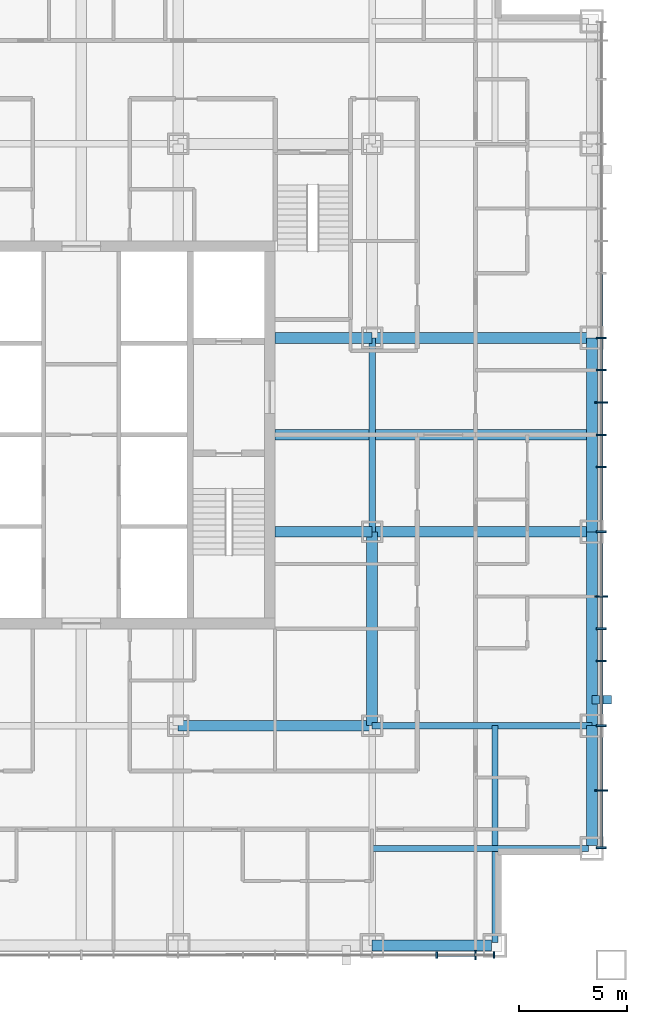
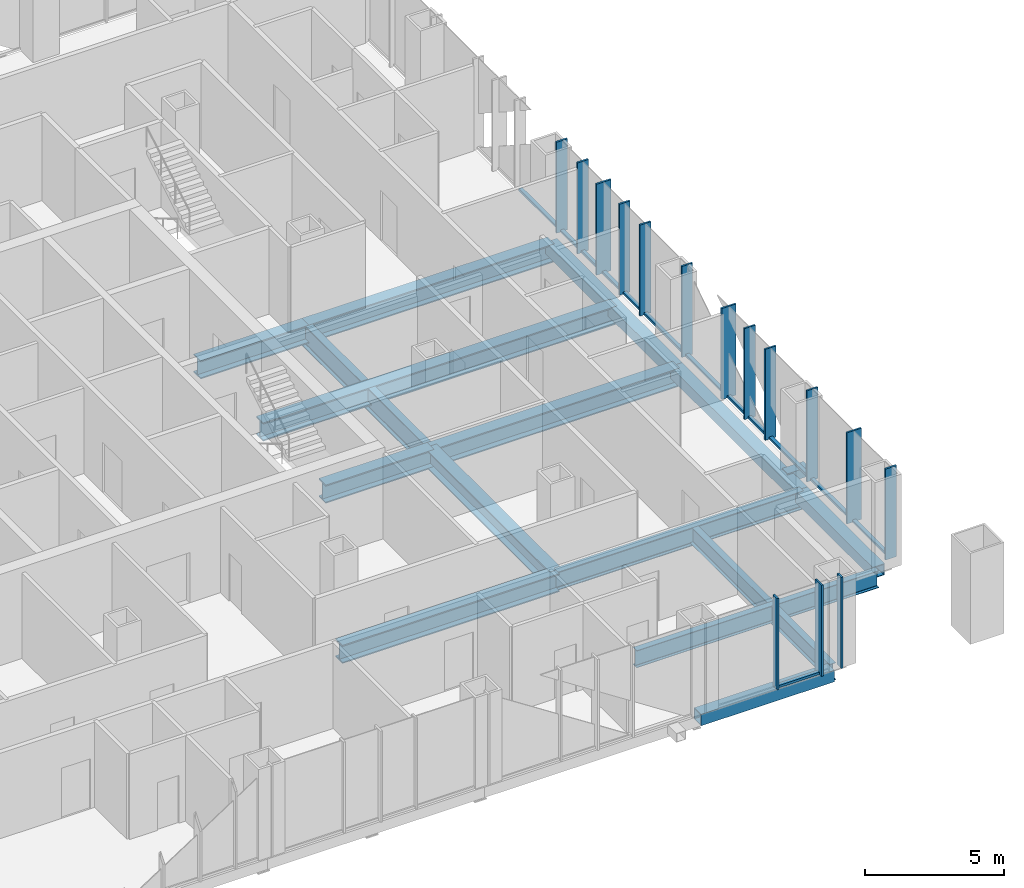
# One storey, part 4 of 14: 29 members, 15 beams, 2 elements without a shape of their own.
"""IFC4 building model written with IfcOpenShell, lengths in metres."""

import ifcopenshell
import ifcopenshell.guid

model = None  # the IFC model being written
_history = None  # IfcOwnerHistory: only IFC2X3 demands one
_inside = {}  # id of a spatial element -> (the spatial element, [elements in it])
_under = {}  # id of a project, library or spatial element -> (it, [spatial elements below it])
_declared = {}  # id of a project -> (the project, [libraries it declares])
_typed = {}  # id of a type object -> (the type object, [elements of that type])
_made_of = {}  # id of a material, layer set ... -> (it, [elements and type objects made of it])


def new_model(schema):
    """Start an empty IFC model of exactly this schema.

    Asked for "IFC4X3", IfcOpenShell would pick the latest addendum, in which some entities
    have other attributes; the version numbers below select the first issue.
    IFC2X3 requires an IfcOwnerHistory on every rooted entity: one is made here for all.
    """
    global model, _history
    if schema == "IFC4X3":
        model = ifcopenshell.file(schema_version=(4, 3, 0, 0))
    else:
        model = ifcopenshell.file(schema=schema)
    _inside.clear()
    _under.clear()
    _declared.clear()
    _typed.clear()
    _made_of.clear()
    _history = None
    if model.schema == "IFC2X3":
        org = make("IfcOrganization", Name="unknown")
        user = make(
            "IfcPersonAndOrganization",
            ThePerson=make("IfcPerson", FamilyName="unknown"),
            TheOrganization=org,
        )
        app = make(
            "IfcApplication",
            ApplicationDeveloper=org,
            Version="unknown",
            ApplicationFullName="unknown",
            ApplicationIdentifier="unknown",
        )
        _history = make(
            "IfcOwnerHistory",
            OwningUser=user,
            OwningApplication=app,
            ChangeAction="ADDED",
            CreationDate=0,
        )
    return model


def make(cls, **values):
    """One entity of the class cls with the attributes given. An attribute that is None is left unset."""
    return model.create_entity(
        cls, **{name: value for name, value in values.items() if value is not None}
    )


def rooted(cls, **values):
    """An entity with a GlobalId (a new one), such as an element, a storey or a relation."""
    return make(cls, GlobalId=ifcopenshell.guid.new(), OwnerHistory=_history, **values)


def si_unit(unit_type, name, prefix=None):
    """IfcSIUnit, for example si_unit("LENGTHUNIT", "METRE", prefix="MILLI")."""
    return make("IfcSIUnit", UnitType=unit_type, Prefix=prefix, Name=name)


def assignment(units):
    """IfcUnitAssignment: the units of a project."""
    return None if units is None else make("IfcUnitAssignment", Units=units)


def point(xyz):
    """IfcCartesianPoint."""
    return None if xyz is None else make("IfcCartesianPoint", Coordinates=xyz)


def direction(xyz):
    """IfcDirection."""
    return None if xyz is None else make("IfcDirection", DirectionRatios=xyz)


def frame(location, z_axis=None, x_axis=None):
    """IfcAxis2Placement3D, a coordinate frame: its origin and axes. An axis left out is left unset."""
    return make(
        "IfcAxis2Placement3D",
        Location=point(location),
        Axis=direction(z_axis),
        RefDirection=direction(x_axis),
    )


def frame_2d(location, x_axis=None):
    """IfcAxis2Placement2D, a coordinate frame in the plane: its origin and x axis."""
    return make(
        "IfcAxis2Placement2D", Location=point(location), RefDirection=direction(x_axis)
    )


def origin():
    """The frame at (0, 0, 0) with its axes left unset."""
    return frame((0.0, 0.0, 0.0))


def origin_2d():
    """The frame at (0, 0) in the plane with its x axis left unset."""
    return frame_2d((0.0, 0.0))


def place(relative_to, where):
    """IfcLocalPlacement: puts the frame where relative to a parent placement (None: the world)."""
    return make(
        "IfcLocalPlacement", PlacementRelTo=relative_to, RelativePlacement=where
    )


def context(
    kind, dimensions, precision=None, world=None, true_north=None, identifier=None
):
    """IfcGeometricRepresentationContext, for example the 3D "Model" context."""
    return make(
        "IfcGeometricRepresentationContext",
        ContextIdentifier=identifier,
        ContextType=kind,
        CoordinateSpaceDimension=dimensions,
        Precision=precision,
        WorldCoordinateSystem=world,
        TrueNorth=true_north,
    )


def subcontext(parent, identifier, kind, view, scale=None):
    """IfcGeometricRepresentationSubContext, for example "Body" below "Model"."""
    return make(
        "IfcGeometricRepresentationSubContext",
        ContextIdentifier=identifier,
        ContextType=kind,
        ParentContext=parent,
        TargetScale=scale,
        TargetView=view,
    )


def project(units=None, contexts=None):
    """IfcProject with its units and contexts."""
    return rooted(
        "IfcProject",
        Name="project",
        RepresentationContexts=contexts,
        UnitsInContext=assignment(units),
    )


def spatial(cls, under=None, at=None, **own):
    """A site, building, storey or space (cls), placed at a placement, below another one or the project."""
    s = rooted(cls, ObjectPlacement=at, **own)
    if under is not None:
        _under.setdefault(under.id(), (under, []))[1].append(s)
    return s


def profile(cls, at=None, kind="AREA", **sizes):
    """A parametric profile (cls). Its sizes go by their IFC names, for example OverallWidth=200.0."""
    return make(cls, ProfileType=kind, Position=at, **sizes)


def rectangle(**sizes):
    """IfcRectangleProfileDef."""
    return profile("IfcRectangleProfileDef", **sizes)


def hollow_rectangle(**sizes):
    """IfcRectangleHollowProfileDef."""
    return profile("IfcRectangleHollowProfileDef", **sizes)


def i_section(**sizes):
    """IfcIShapeProfileDef."""
    return profile("IfcIShapeProfileDef", **sizes)


def extrude(swept, where, along, depth):
    """IfcExtrudedAreaSolid: the profile swept, set in the frame where, extruded along a direction by depth."""
    return make(
        "IfcExtrudedAreaSolid",
        SweptArea=swept,
        Position=where,
        ExtrudedDirection=direction(along),
        Depth=depth,
    )


def shape(context_of_items, identifier, shape_type, items):
    """IfcShapeRepresentation: the items that make up one representation, for example the "Body"."""
    return make(
        "IfcShapeRepresentation",
        ContextOfItems=context_of_items,
        RepresentationIdentifier=identifier,
        RepresentationType=shape_type,
        Items=items,
    )


def material(Name=None, Category=None):
    """IfcMaterial."""
    return make("IfcMaterial", Name=Name, Category=Category)


def layer(
    of_material, thickness, ventilated=None, Name=None, Category=None, Priority=None
):
    """IfcMaterialLayer: one layer of a wall or slab, of a material (None: an air gap)."""
    return make(
        "IfcMaterialLayer",
        Material=of_material,
        LayerThickness=thickness,
        IsVentilated=ventilated,
        Name=Name,
        Category=Category,
        Priority=Priority,
    )


def layer_set(layers, Name=None):
    """IfcMaterialLayerSet."""
    return make("IfcMaterialLayerSet", MaterialLayers=layers, LayerSetName=Name)


def material_profile(
    of_material, cross_section, Name=None, Category=None, Priority=None
):
    """IfcMaterialProfile: a cross section and its material."""
    return make(
        "IfcMaterialProfile",
        Name=Name,
        Material=of_material,
        Profile=cross_section,
        Priority=Priority,
        Category=Category,
    )


def profile_set(profiles, Name=None, composite=None):
    """IfcMaterialProfileSet."""
    return make(
        "IfcMaterialProfileSet",
        Name=Name,
        MaterialProfiles=profiles,
        CompositeProfile=composite,
    )


def made_of(thing, what):
    """Note that an element or type object is made of a material, layer set ...; save() writes the relation."""
    if what is not None:
        _made_of.setdefault(what.id(), (what, []))[1].append(thing)
    return thing


def type_object(cls, material=None, **own):
    """A type object (cls), such as IfcWallType, which elements share."""
    return made_of(rooted(cls, **own), material)


def element(
    cls,
    number,
    at=None,
    inside=None,
    cuts=None,
    type_object=None,
    material=None,
    context=None,
    identifier="Body",
    shape_type=None,
    held_by="IfcProductDefinitionShape",
    body=None,
    shapes=None,
    **own,
):
    """One element of the class cls, such as IfcWall. Its Tag is "e" and its number.

    at: its placement. inside: the storey or other place that contains it. cuts: it is an
    opening in that element (IfcRelVoidsElement). A single representation is given by context,
    identifier, shape_type and body (its items); several are given by shapes. held_by: the class
    of the entity that holds the representations. save() writes the other relations.
    """
    e = rooted(cls, Tag="e%d" % number, ObjectPlacement=at, **own)
    if body is not None:
        shapes = [shape(context, identifier, shape_type, body)]
    if shapes is not None:
        e.Representation = make(held_by, Representations=shapes)
    if inside is not None:
        _inside.setdefault(inside.id(), (inside, []))[1].append(e)
    if cuts is not None:
        rooted(
            "IfcRelVoidsElement", RelatingBuildingElement=cuts, RelatedOpeningElement=e
        )
    if type_object is not None:
        _typed.setdefault(type_object.id(), (type_object, []))[1].append(e)
    return made_of(e, material)


def aggregate(whole, parts):
    """IfcRelAggregates: a whole, such as a stair, and the parts it consists of."""
    return rooted("IfcRelAggregates", RelatingObject=whole, RelatedObjects=parts)


def save(model, path):
    """Write the relations noted so far, then the file.

    IfcRelAggregates (storeys below a building ...), IfcRelContainedInSpatialStructure (elements
    in a storey), IfcRelDefinesByType, IfcRelAssociatesMaterial and IfcRelDeclares: one each for
    every whole, place, type object, material and project.
    """
    for whole, parts in _under.values():
        aggregate(whole, parts)
    for where, things in _inside.values():
        rooted(
            "IfcRelContainedInSpatialStructure",
            RelatedElements=things,
            RelatingStructure=where,
        )
    for kind, things in _typed.values():
        rooted("IfcRelDefinesByType", RelatedObjects=things, RelatingType=kind)
    for what, things in _made_of.values():
        rooted("IfcRelAssociatesMaterial", RelatedObjects=things, RelatingMaterial=what)
    for by, libraries in _declared.values():
        rooted("IfcRelDeclares", RelatingContext=by, RelatedDefinitions=libraries)
    model.write(path)


model = new_model("IFC4")

# Units and contexts
model_context = context("Model", 3, precision=1e-05, world=origin(), true_north=direction((0.0, 1.0)))
body_context = subcontext(model_context, "Body", "Model", "MODEL_VIEW")
ifc_project = project(units=[si_unit("LENGTHUNIT", "METRE"), si_unit("AREAUNIT", "SQUARE_METRE"), si_unit("VOLUMEUNIT", "CUBIC_METRE"), si_unit("PLANEANGLEUNIT", "RADIAN"), si_unit("MASSUNIT", "GRAM", prefix="KILO")], contexts=[model_context])

# Site, building, storey
site_placement = place(None, origin())
site = spatial("IfcSite", under=ifc_project, at=site_placement, CompositionType="ELEMENT")
building_placement = place(site_placement, origin())
building = spatial("IfcBuilding", under=site, at=building_placement, Name="Malebo Sky Hospital", CompositionType="ELEMENT")
storey_placement = place(building_placement, frame((0.0, 0.0, 148.0)))
storey = spatial("IfcBuildingStorey", under=building, at=storey_placement, Name="L35", CompositionType="ELEMENT", Elevation=148.0)

# Curtain wall, member
ifc_material_1 = material(Name="Anodised aluminium, natural silver", Category="aluminium")
ifc_layer_1 = layer(ifc_material_1, 0.25)
ifc_layer_set_1 = layer_set([ifc_layer_1], Name="WARD CURTAIN WALL NORTH AND SOUTH")
curtain_wall_type_1 = type_object("IfcCurtainWallType", Name="WARD CURTAIN WALL NORTH AND SOUTH", PredefinedType="NOTDEFINED", material=ifc_layer_set_1)
curtain_wall_1_placement = place(storey_placement, origin())
curtain_wall_1 = element("IfcCurtainWall", 1, at=curtain_wall_1_placement, inside=storey, type_object=curtain_wall_type_1, Name="NS curtain wall S", PredefinedType="NOTDEFINED")
ifc_material_profile_1 = material_profile(ifc_material_1, rectangle(XDim=0.14990234375, YDim=0.10009765625, at=origin_2d()), Name="ALUMINIUM TRANSOM 150x100")
ifc_profile_set_1 = profile_set([ifc_material_profile_1], Name="Anodised aluminium, natural silver")
member_type_1 = type_object("IfcMemberType", Name="ALUMINIUM TRANSOM 150x100", PredefinedType="USERDEFINED", material=ifc_profile_set_1)
member_1_placement = place(storey_placement, frame((78.262451171875, 37.864990234375, 0.050048828125), z_axis=(-1.0, 0.0, 0.0), x_axis=(0.0, -1.0, 0.0)))
member_1 = element("IfcMember", 2, at=member_1_placement, type_object=member_type_1, Name="Transom 2", ObjectType="TRANSOM", PredefinedType="USERDEFINED", context=body_context, shape_type="SweptSolid", body=[
    extrude(rectangle(XDim=0.14990234375, YDim=0.10009765625, at=origin_2d()), origin(), (0.0, 0.0, 1.0), 1.724853515625),
])

# Curtain wall, members
ifc_layer_2 = layer(ifc_material_1, 0.25)
ifc_layer_set_2 = layer_set([ifc_layer_2], Name="WARD CURTAIN WALL EAST AND WEST")
curtain_wall_type_2 = type_object("IfcCurtainWallType", Name="WARD CURTAIN WALL EAST AND WEST", PredefinedType="NOTDEFINED", material=ifc_layer_set_2)
curtain_wall_2_placement = place(storey_placement, origin())
curtain_wall_2 = element("IfcCurtainWall", 3, at=curtain_wall_2_placement, inside=storey, type_object=curtain_wall_type_2, Name="EW curtain wall E", PredefinedType="NOTDEFINED")
member_2_placement = place(storey_placement, frame((84.135009765625, 69.46240234375, 0.050048828125), z_axis=(0.0, -1.0, 0.0), x_axis=(1.0, 0.0, 0.0)))
member_2 = element("IfcMember", 4, at=member_2_placement, type_object=member_type_1, Name="Transom 7", ObjectType="TRANSOM", PredefinedType="USERDEFINED", context=body_context, shape_type="SweptSolid", body=[
    extrude(rectangle(XDim=0.14990234375, YDim=0.10009765625, at=origin_2d()), origin(), (0.0, 0.0, 1.0), 2.9248046875),
])
member_3_placement = place(storey_placement, frame((84.135009765625, 66.46240234375, 0.050048828125), z_axis=(0.0, -1.0, 0.0), x_axis=(1.0, 0.0, 0.0)))
member_3 = element("IfcMember", 5, at=member_3_placement, type_object=member_type_1, Name="Transom 8", ObjectType="TRANSOM", PredefinedType="USERDEFINED", context=body_context, shape_type="SweptSolid", body=[
    extrude(rectangle(XDim=0.14990234375, YDim=0.10009765625, at=origin_2d()), origin(), (0.0, 0.0, 1.0), 1.4248046875),
])
member_4_placement = place(storey_placement, frame((84.135009765625, 64.96240234375, 0.050048828125), z_axis=(0.0, -1.0, 0.0), x_axis=(1.0, 0.0, 0.0)))
member_4 = element("IfcMember", 6, at=member_4_placement, type_object=member_type_1, Name="Transom 9", ObjectType="TRANSOM", PredefinedType="USERDEFINED", context=body_context, shape_type="SweptSolid", body=[
    extrude(rectangle(XDim=0.14990234375, YDim=0.10009765625, at=origin_2d()), origin(), (0.0, 0.0, 1.0), 1.4248046875),
])
member_5_placement = place(storey_placement, frame((84.135009765625, 63.46240234375, 0.050048828125), z_axis=(0.0, -1.0, 0.0), x_axis=(1.0, 0.0, 0.0)))
member_5 = element("IfcMember", 7, at=member_5_placement, type_object=member_type_1, Name="Transom 10", ObjectType="TRANSOM", PredefinedType="USERDEFINED", context=body_context, shape_type="SweptSolid", body=[
    extrude(rectangle(XDim=0.14990234375, YDim=0.10009765625, at=origin_2d()), origin(), (0.0, 0.0, 1.0), 1.4248046875),
])
member_6_placement = place(storey_placement, frame((84.135009765625, 61.96240234375, 0.050048828125), z_axis=(0.0, -1.0, 0.0), x_axis=(1.0, 0.0, 0.0)))
member_6 = element("IfcMember", 8, at=member_6_placement, type_object=member_type_1, Name="Transom 11", ObjectType="TRANSOM", PredefinedType="USERDEFINED", context=body_context, shape_type="SweptSolid", body=[
    extrude(rectangle(XDim=0.14990234375, YDim=0.10009765625, at=origin_2d()), origin(), (0.0, 0.0, 1.0), 1.4248046875),
])
member_7_placement = place(storey_placement, frame((84.135009765625, 60.46240234375, 0.050048828125), z_axis=(0.0, -1.0, 0.0), x_axis=(1.0, 0.0, 0.0)))
member_7 = element("IfcMember", 9, at=member_7_placement, type_object=member_type_1, Name="Transom 12", ObjectType="TRANSOM", PredefinedType="USERDEFINED", context=body_context, shape_type="SweptSolid", body=[
    extrude(rectangle(XDim=0.14990234375, YDim=0.10009765625, at=origin_2d()), origin(), (0.0, 0.0, 1.0), 2.9248046875),
])
member_8_placement = place(storey_placement, frame((84.135009765625, 57.46240234375, 0.050048828125), z_axis=(0.0, -1.0, 0.0), x_axis=(1.0, 0.0, 0.0)))
member_8 = element("IfcMember", 10, at=member_8_placement, type_object=member_type_1, Name="Transom 13", ObjectType="TRANSOM", PredefinedType="USERDEFINED", context=body_context, shape_type="SweptSolid", body=[
    extrude(rectangle(XDim=0.14990234375, YDim=0.10009765625, at=origin_2d()), origin(), (0.0, 0.0, 1.0), 2.9248046875),
])
member_9_placement = place(storey_placement, frame((84.135009765625, 54.46240234375, 0.050048828125), z_axis=(0.0, -1.0, 0.0), x_axis=(1.0, 0.0, 0.0)))
member_9 = element("IfcMember", 11, at=member_9_placement, type_object=member_type_1, Name="Transom 14", ObjectType="TRANSOM", PredefinedType="USERDEFINED", context=body_context, shape_type="SweptSolid", body=[
    extrude(rectangle(XDim=0.14990234375, YDim=0.10009765625, at=origin_2d()), origin(), (0.0, 0.0, 1.0), 1.4248046875),
])
member_10_placement = place(storey_placement, frame((84.135009765625, 52.96240234375, 0.050048828125), z_axis=(0.0, -1.0, 0.0), x_axis=(1.0, 0.0, 0.0)))
member_10 = element("IfcMember", 12, at=member_10_placement, type_object=member_type_1, Name="Transom 15", ObjectType="TRANSOM", PredefinedType="USERDEFINED", context=body_context, shape_type="SweptSolid", body=[
    extrude(rectangle(XDim=0.14990234375, YDim=0.10009765625, at=origin_2d()), origin(), (0.0, 0.0, 1.0), 1.4248046875),
])
member_11_placement = place(storey_placement, frame((84.135009765625, 51.46240234375, 0.050048828125), z_axis=(0.0, -1.0, 0.0), x_axis=(1.0, 0.0, 0.0)))
member_11 = element("IfcMember", 13, at=member_11_placement, type_object=member_type_1, Name="Transom 16", ObjectType="TRANSOM", PredefinedType="USERDEFINED", context=body_context, shape_type="SweptSolid", body=[
    extrude(rectangle(XDim=0.14990234375, YDim=0.10009765625, at=origin_2d()), origin(), (0.0, 0.0, 1.0), 2.9248046875),
])
member_12_placement = place(storey_placement, frame((84.135009765625, 48.46240234375, 0.050048828125), z_axis=(0.0, -1.0, 0.0), x_axis=(1.0, 0.0, 0.0)))
member_12 = element("IfcMember", 14, at=member_12_placement, type_object=member_type_1, Name="Transom 17", ObjectType="TRANSOM", PredefinedType="USERDEFINED", context=body_context, shape_type="SweptSolid", body=[
    extrude(rectangle(XDim=0.14990234375, YDim=0.10009765625, at=origin_2d()), origin(), (0.0, 0.0, 1.0), 2.9248046875),
])
member_13_placement = place(storey_placement, frame((84.135009765625, 45.46240234375, 0.050048828125), z_axis=(0.0, -1.0, 0.0), x_axis=(1.0, 0.0, 0.0)))
member_13 = element("IfcMember", 15, at=member_13_placement, type_object=member_type_1, Name="Transom 18", ObjectType="TRANSOM", PredefinedType="USERDEFINED", context=body_context, shape_type="SweptSolid", body=[
    extrude(rectangle(XDim=0.14990234375, YDim=0.10009765625, at=origin_2d()), origin(), (0.0, 0.0, 1.0), 2.58740234375),
])

# Member
ifc_material_2 = material(Name="Steel S355", Category="steel")
ifc_material_profile_2 = material_profile(ifc_material_2, hollow_rectangle(XDim=0.39990234375, YDim=0.39990234375, WallThickness=0.02001953125, at=origin_2d()), Name="SHS 400x20")
ifc_profile_set_2 = profile_set([ifc_material_profile_2], Name="Steel S355")
member_type_2 = type_object("IfcMemberType", Name="BRACE STRUT SHS 400x20", PredefinedType="STRUT", material=ifc_profile_set_2)
member_14_placement = place(storey_placement, frame((84.60009765625, 49.699951171875, -0.39990234375), z_axis=(-1.0, 0.0, 0.0), x_axis=(0.0, -1.0, 0.0)))
element("IfcMember", 16, at=member_14_placement, inside=storey, type_object=member_type_2, Name="Brace strut BE1 L35", PredefinedType="STRUT", context=body_context, shape_type="SweptSolid", body=[
    extrude(hollow_rectangle(XDim=0.39990234375, YDim=0.39990234375, WallThickness=0.02001953125, at=origin_2d()), origin(), (0.0, 0.0, 1.0), 0.900146484375),
])

ifc_material_profile_3 = material_profile(ifc_material_1, rectangle(XDim=0.074951171875, YDim=0.300048828125, at=origin_2d()), Name="CW1 ALUMINIUM FIN MULLION 75x300")
ifc_profile_set_3 = profile_set([ifc_material_profile_3], Name="Anodised aluminium, natural silver")
member_type_3 = type_object("IfcMemberType", Name="CW1 ALUMINIUM FIN MULLION 75x300", PredefinedType="MULLION", material=ifc_profile_set_3)
member_15_placement = place(storey_placement, frame((79.16259765625, 37.864990234375, 0.0), z_axis=(0.0, 0.0, 1.0), x_axis=(-1.0, 0.0, 0.0)))
member_15 = element("IfcMember", 17, at=member_15_placement, type_object=member_type_3, Name="Fin mullion 1", PredefinedType="MULLION", context=body_context, shape_type="SweptSolid", body=[
    extrude(rectangle(XDim=0.074951171875, YDim=0.300048828125, at=origin_2d()), origin(), (0.0, 0.0, 1.0), 4.0),
])

member_16_placement = place(storey_placement, frame((76.5, 37.864990234375, 0.0), z_axis=(0.0, 0.0, 1.0), x_axis=(-1.0, 0.0, 0.0)))
member_16 = element("IfcMember", 18, at=member_16_placement, type_object=member_type_3, Name="Fin mullion 3", PredefinedType="MULLION", context=body_context, shape_type="SweptSolid", body=[
    extrude(rectangle(XDim=0.074951171875, YDim=0.300048828125, at=origin_2d()), origin(), (0.0, 0.0, 1.0), 4.0),
])

ifc_material_profile_4 = material_profile(ifc_material_1, rectangle(XDim=0.074951171875, YDim=0.449951171875, at=origin_2d()), Name="CW1 ALUMINIUM FIN MULLION 75x450")
ifc_profile_set_4 = profile_set([ifc_material_profile_4], Name="Anodised aluminium, natural silver")
member_type_4 = type_object("IfcMemberType", Name="CW1 ALUMINIUM FIN MULLION 75x450", PredefinedType="MULLION", material=ifc_profile_set_4)
member_17_placement = place(storey_placement, frame((78.300048828125, 37.864990234375, 0.0), z_axis=(0.0, 0.0, 1.0), x_axis=(-1.0, 0.0, 0.0)))
member_17 = element("IfcMember", 19, at=member_17_placement, type_object=member_type_4, Name="Fin mullion 2", PredefinedType="MULLION", context=body_context, shape_type="SweptSolid", body=[
    extrude(rectangle(XDim=0.074951171875, YDim=0.449951171875, at=origin_2d()), origin(), (0.0, 0.0, 1.0), 4.0),
])

aggregate(curtain_wall_1, [member_15, member_17, member_16, member_1])

ifc_material_profile_5 = material_profile(ifc_material_1, rectangle(XDim=0.074951171875, YDim=0.449951171875, at=origin_2d()), Name="CW2 ALUMINIUM FIN MULLION 75x450")
ifc_profile_set_5 = profile_set([ifc_material_profile_5], Name="Anodised aluminium, natural silver")
member_type_5 = type_object("IfcMemberType", Name="CW2 ALUMINIUM FIN MULLION 75x450", PredefinedType="MULLION", material=ifc_profile_set_5)
member_18_placement = place(storey_placement, frame((84.135009765625, 66.5, 0.0), z_axis=(0.0, 0.0, 1.0), x_axis=(0.0, -1.0, 0.0)))
member_18 = element("IfcMember", 20, at=member_18_placement, type_object=member_type_5, Name="Fin mullion 8", PredefinedType="MULLION", context=body_context, shape_type="SweptSolid", body=[
    extrude(rectangle(XDim=0.074951171875, YDim=0.449951171875, at=origin_2d()), origin(), (0.0, 0.0, 1.0), 4.0),
])

member_19_placement = place(storey_placement, frame((84.135009765625, 65.0, 0.0), z_axis=(0.0, 0.0, 1.0), x_axis=(0.0, -1.0, 0.0)))
member_19 = element("IfcMember", 21, at=member_19_placement, type_object=member_type_5, Name="Fin mullion 9", PredefinedType="MULLION", context=body_context, shape_type="SweptSolid", body=[
    extrude(rectangle(XDim=0.074951171875, YDim=0.449951171875, at=origin_2d()), origin(), (0.0, 0.0, 1.0), 4.0),
])

member_20_placement = place(storey_placement, frame((84.135009765625, 62.0, 0.0), z_axis=(0.0, 0.0, 1.0), x_axis=(0.0, -1.0, 0.0)))
member_20 = element("IfcMember", 22, at=member_20_placement, type_object=member_type_5, Name="Fin mullion 11", PredefinedType="MULLION", context=body_context, shape_type="SweptSolid", body=[
    extrude(rectangle(XDim=0.074951171875, YDim=0.449951171875, at=origin_2d()), origin(), (0.0, 0.0, 1.0), 4.0),
])

member_21_placement = place(storey_placement, frame((84.135009765625, 60.5, 0.0), z_axis=(0.0, 0.0, 1.0), x_axis=(0.0, -1.0, 0.0)))
member_21 = element("IfcMember", 23, at=member_21_placement, type_object=member_type_5, Name="Fin mullion 12", PredefinedType="MULLION", context=body_context, shape_type="SweptSolid", body=[
    extrude(rectangle(XDim=0.074951171875, YDim=0.449951171875, at=origin_2d()), origin(), (0.0, 0.0, 1.0), 4.0),
])

member_22_placement = place(storey_placement, frame((84.135009765625, 57.5, 0.0), z_axis=(0.0, 0.0, 1.0), x_axis=(0.0, -1.0, 0.0)))
member_22 = element("IfcMember", 24, at=member_22_placement, type_object=member_type_5, Name="Fin mullion 13", PredefinedType="MULLION", context=body_context, shape_type="SweptSolid", body=[
    extrude(rectangle(XDim=0.074951171875, YDim=0.449951171875, at=origin_2d()), origin(), (0.0, 0.0, 1.0), 4.0),
])

member_23_placement = place(storey_placement, frame((84.135009765625, 53.0, 0.0), z_axis=(0.0, 0.0, 1.0), x_axis=(0.0, -1.0, 0.0)))
member_23 = element("IfcMember", 25, at=member_23_placement, type_object=member_type_5, Name="Fin mullion 15", PredefinedType="MULLION", context=body_context, shape_type="SweptSolid", body=[
    extrude(rectangle(XDim=0.074951171875, YDim=0.449951171875, at=origin_2d()), origin(), (0.0, 0.0, 1.0), 4.0),
])

member_24_placement = place(storey_placement, frame((84.135009765625, 51.5, 0.0), z_axis=(0.0, 0.0, 1.0), x_axis=(0.0, -1.0, 0.0)))
member_24 = element("IfcMember", 26, at=member_24_placement, type_object=member_type_5, Name="Fin mullion 16", PredefinedType="MULLION", context=body_context, shape_type="SweptSolid", body=[
    extrude(rectangle(XDim=0.074951171875, YDim=0.449951171875, at=origin_2d()), origin(), (0.0, 0.0, 1.0), 4.0),
])

member_25_placement = place(storey_placement, frame((84.135009765625, 48.5, 0.0), z_axis=(0.0, 0.0, 1.0), x_axis=(0.0, -1.0, 0.0)))
member_25 = element("IfcMember", 27, at=member_25_placement, type_object=member_type_5, Name="Fin mullion 17", PredefinedType="MULLION", context=body_context, shape_type="SweptSolid", body=[
    extrude(rectangle(XDim=0.074951171875, YDim=0.449951171875, at=origin_2d()), origin(), (0.0, 0.0, 1.0), 4.0),
])

member_26_placement = place(storey_placement, frame((84.135009765625, 42.83740234375, 0.0), z_axis=(0.0, 0.0, 1.0), x_axis=(0.0, -1.0, 0.0)))
member_26 = element("IfcMember", 28, at=member_26_placement, type_object=member_type_5, Name="Fin mullion 19", PredefinedType="MULLION", context=body_context, shape_type="SweptSolid", body=[
    extrude(rectangle(XDim=0.074951171875, YDim=0.449951171875, at=origin_2d()), origin(), (0.0, 0.0, 1.0), 4.0),
])

ifc_material_profile_6 = material_profile(ifc_material_1, rectangle(XDim=0.074951171875, YDim=0.60009765625, at=origin_2d()), Name="CW2 ALUMINIUM FIN MULLION 75x600")
ifc_profile_set_6 = profile_set([ifc_material_profile_6], Name="Anodised aluminium, natural silver")
member_type_6 = type_object("IfcMemberType", Name="CW2 ALUMINIUM FIN MULLION 75x600", PredefinedType="MULLION", material=ifc_profile_set_6)
member_27_placement = place(storey_placement, frame((84.135009765625, 63.5, 0.0), z_axis=(0.0, 0.0, 1.0), x_axis=(0.0, -1.0, 0.0)))
member_27 = element("IfcMember", 29, at=member_27_placement, type_object=member_type_6, Name="Fin mullion 10", PredefinedType="MULLION", context=body_context, shape_type="SweptSolid", body=[
    extrude(rectangle(XDim=0.074951171875, YDim=0.60009765625, at=origin_2d()), origin(), (0.0, 0.0, 1.0), 4.0),
])

member_28_placement = place(storey_placement, frame((84.135009765625, 54.5, 0.0), z_axis=(0.0, 0.0, 1.0), x_axis=(0.0, -1.0, 0.0)))
member_28 = element("IfcMember", 30, at=member_28_placement, type_object=member_type_6, Name="Fin mullion 14", PredefinedType="MULLION", context=body_context, shape_type="SweptSolid", body=[
    extrude(rectangle(XDim=0.074951171875, YDim=0.60009765625, at=origin_2d()), origin(), (0.0, 0.0, 1.0), 4.0),
])

member_29_placement = place(storey_placement, frame((84.135009765625, 45.5, 0.0), z_axis=(0.0, 0.0, 1.0), x_axis=(0.0, -1.0, 0.0)))
member_29 = element("IfcMember", 31, at=member_29_placement, type_object=member_type_6, Name="Fin mullion 18", PredefinedType="MULLION", context=body_context, shape_type="SweptSolid", body=[
    extrude(rectangle(XDim=0.074951171875, YDim=0.60009765625, at=origin_2d()), origin(), (0.0, 0.0, 1.0), 4.0),
])

aggregate(curtain_wall_2, [member_18, member_19, member_27, member_20, member_21, member_22, member_28, member_23, member_24, member_25, member_29, member_26, member_2, member_3, member_4, member_5, member_6, member_7, member_8, member_9, member_10, member_11, member_12, member_13])

# Beams
ifc_material_3 = material(Name="Steel S460", Category="steel")
ifc_material_profile_7 = material_profile(ifc_material_3, hollow_rectangle(XDim=0.5, YDim=0.5, WallThickness=0.030029296875, at=origin_2d()), Name="BOX 500x500x30")
ifc_profile_set_7 = profile_set([ifc_material_profile_7], Name="Steel S460")
beam_type_1 = type_object("IfcBeamType", Name="EDGE BEAM BOX 500x500x30", PredefinedType="BEAM", material=ifc_profile_set_7)
beam_1_placement = place(storey_placement, frame((83.699951171875, 42.949951171875, -0.5), z_axis=(0.0, 1.0, 0.0), x_axis=(-1.0, 0.0, 0.0)))
element("IfcBeam", 32, at=beam_1_placement, inside=storey, type_object=beam_type_1, Name="Beam 029 L35", PredefinedType="BEAM", context=body_context, shape_type="SweptSolid", body=[
    extrude(hollow_rectangle(XDim=0.5, YDim=0.5, WallThickness=0.030029296875, at=origin_2d()), origin(), (0.0, 0.0, 1.0), 5.550048828125),
])
for number, where, z_axis, x_axis, name in (
    (33, (83.699951171875, 48.5, -0.5), (0.0, 1.0, 0.0), (-1.0, 0.0, 0.0), "Beam 030 L35"),
    (34, (83.699951171875, 57.5, -0.5), (0.0, 1.0, 0.0), (-1.0, 0.0, 0.0), "Beam 031 L35"),
):
    element("IfcBeam", number, at=place(storey_placement, frame(where, z_axis=z_axis, x_axis=x_axis)), inside=storey, type_object=beam_type_1, Name=name, PredefinedType="BEAM", context=body_context, shape_type="SweptSolid", body=[
        extrude(hollow_rectangle(XDim=0.5, YDim=0.5, WallThickness=0.030029296875, at=origin_2d()), origin(), (0.0, 0.0, 1.0), 9.0),
    ])
beam_2_placement = place(storey_placement, frame((73.5, 38.300048828125, -0.5), z_axis=(1.0, 0.0, 0.0), x_axis=(0.0, 1.0, 0.0)))
element("IfcBeam", 35, at=beam_2_placement, inside=storey, type_object=beam_type_1, Name="Beam 038 L35", PredefinedType="BEAM", context=body_context, shape_type="SweptSolid", body=[
    extrude(hollow_rectangle(XDim=0.5, YDim=0.5, WallThickness=0.030029296875, at=origin_2d()), origin(), (0.0, 0.0, 1.0), 5.550048828125),
])
ifc_material_profile_8 = material_profile(ifc_material_2, i_section(OverallWidth=0.262939453125, OverallDepth=0.7529296875, WebThickness=0.011474609375, FlangeThickness=0.01708984375, FilletRadius=0.01708984375, at=origin_2d()), Name="IPE 750x137")
ifc_profile_set_8 = profile_set([ifc_material_profile_8], Name="Steel S355")
beam_type_2 = type_object("IfcBeamType", Name="FLOOR BEAM IPE 750x137", PredefinedType="BEAM", material=ifc_profile_set_8)
for number, where, z_axis, x_axis, name in (
    (36, (79.199951171875, 38.449951171875, -0.62646484375), (0.0, 1.0, 0.0), (-1.0, 0.0, 0.0), "Beam 027 L35"),
    (37, (73.5, 42.800048828125, -0.62646484375), (1.0, 0.0, 0.0), (0.0, 1.0, 0.0), "Beam 040 L35"),
):
    element("IfcBeam", number, at=place(storey_placement, frame(where, z_axis=z_axis, x_axis=x_axis)), inside=storey, type_object=beam_type_2, Name=name, PredefinedType="BEAM", context=body_context, shape_type="SweptSolid", body=[
        extrude(i_section(OverallWidth=0.262939453125, OverallDepth=0.7529296875, WebThickness=0.011474609375, FlangeThickness=0.01708984375, FilletRadius=0.01708984375, at=origin_2d()), origin(), (0.0, 0.0, 1.0), 10.050048828125),
    ])
ifc_material_profile_9 = material_profile(ifc_material_2, i_section(OverallWidth=0.5, OverallDepth=0.800048828125, WebThickness=0.030029296875, FlangeThickness=0.050048828125, at=origin_2d()), Name="PG 800x500x30x50")
ifc_profile_set_9 = profile_set([ifc_material_profile_9], Name="Steel S355")
beam_type_3 = type_object("IfcBeamType", Name="FLOOR BEAM PG 800x500x30x50", PredefinedType="BEAM", material=ifc_profile_set_9)
for number, where, z_axis, x_axis, name in (
    (38, (73.5, 48.5, -0.64990234375), (0.0, 1.0, 0.0), (-1.0, 0.0, 0.0), "Beam 023 L35"),
    (39, (64.5, 48.5, -0.64990234375), (1.0, 0.0, 0.0), (0.0, 1.0, 0.0), "Beam 044 L35"),
):
    element("IfcBeam", number, at=place(storey_placement, frame(where, z_axis=z_axis, x_axis=x_axis)), inside=storey, type_object=beam_type_3, Name=name, PredefinedType="BEAM", context=body_context, shape_type="SweptSolid", body=[
        extrude(i_section(OverallWidth=0.5, OverallDepth=0.800048828125, WebThickness=0.030029296875, FlangeThickness=0.050048828125, at=origin_2d()), origin(), (0.0, 0.0, 1.0), 9.0),
    ])
beam_3_placement = place(storey_placement, frame((69.0, 57.5, -0.64990234375), z_axis=(1.0, 0.0, 0.0), x_axis=(0.0, 1.0, 0.0)))
element("IfcBeam", 40, at=beam_3_placement, inside=storey, type_object=beam_type_3, Name="Beam 048 L35", PredefinedType="BEAM", context=body_context, shape_type="SweptSolid", body=[
    extrude(i_section(OverallWidth=0.5, OverallDepth=0.800048828125, WebThickness=0.030029296875, FlangeThickness=0.050048828125, at=origin_2d()), origin(), (0.0, 0.0, 1.0), 4.5),
])
beam_4_placement = place(storey_placement, frame((73.5, 57.5, -0.64990234375), z_axis=(1.0, 0.0, 0.0), x_axis=(0.0, 1.0, 0.0)))
element("IfcBeam", 41, at=beam_4_placement, inside=storey, type_object=beam_type_3, Name="Beam 049 L35", PredefinedType="BEAM", context=body_context, shape_type="SweptSolid", body=[
    extrude(i_section(OverallWidth=0.5, OverallDepth=0.800048828125, WebThickness=0.030029296875, FlangeThickness=0.050048828125, at=origin_2d()), origin(), (0.0, 0.0, 1.0), 10.199951171875),
])
beam_5_placement = place(storey_placement, frame((69.0, 62.0, -0.64990234375), z_axis=(1.0, 0.0, 0.0), x_axis=(0.0, 1.0, 0.0)))
element("IfcBeam", 42, at=beam_5_placement, inside=storey, type_object=beam_type_3, Name="Beam 051 L35", PredefinedType="BEAM", context=body_context, shape_type="SweptSolid", body=[
    extrude(i_section(OverallWidth=0.5, OverallDepth=0.800048828125, WebThickness=0.030029296875, FlangeThickness=0.050048828125, at=origin_2d()), origin(), (0.0, 0.0, 1.0), 14.699951171875),
])
beam_6_placement = place(storey_placement, frame((69.0, 66.5, -0.64990234375), z_axis=(1.0, 0.0, 0.0), x_axis=(0.0, 1.0, 0.0)))
element("IfcBeam", 43, at=beam_6_placement, inside=storey, type_object=beam_type_3, Name="Beam 054 L35", PredefinedType="BEAM", context=body_context, shape_type="SweptSolid", body=[
    extrude(i_section(OverallWidth=0.5, OverallDepth=0.800048828125, WebThickness=0.030029296875, FlangeThickness=0.050048828125, at=origin_2d()), origin(), (0.0, 0.0, 1.0), 4.5),
])
beam_7_placement = place(storey_placement, frame((73.5, 66.5, -0.64990234375), z_axis=(1.0, 0.0, 0.0), x_axis=(0.0, 1.0, 0.0)))
element("IfcBeam", 44, at=beam_7_placement, inside=storey, type_object=beam_type_3, Name="Beam 055 L35", PredefinedType="BEAM", context=body_context, shape_type="SweptSolid", body=[
    extrude(i_section(OverallWidth=0.5, OverallDepth=0.800048828125, WebThickness=0.030029296875, FlangeThickness=0.050048828125, at=origin_2d()), origin(), (0.0, 0.0, 1.0), 10.199951171875),
])
ifc_material_profile_10 = material_profile(ifc_material_2, i_section(OverallWidth=0.300048828125, OverallDepth=0.800048828125, WebThickness=0.017578125, FlangeThickness=0.032958984375, FilletRadius=0.030029296875, at=origin_2d()), Name="HEB 800")
ifc_profile_set_10 = profile_set([ifc_material_profile_10], Name="Steel S355")
beam_type_4 = type_object("IfcBeamType", Name="FLOOR GIRDER HEB 800", PredefinedType="BEAM", material=ifc_profile_set_10)
beam_8_placement = place(storey_placement, frame((73.5, 48.5, -0.64990234375), z_axis=(1.0, 0.0, 0.0), x_axis=(0.0, 1.0, 0.0)))
element("IfcBeam", 45, at=beam_8_placement, inside=storey, type_object=beam_type_4, Name="Beam 045 L35", PredefinedType="BEAM", context=body_context, shape_type="SweptSolid", body=[
    extrude(i_section(OverallWidth=0.300048828125, OverallDepth=0.800048828125, WebThickness=0.017578125, FlangeThickness=0.032958984375, FilletRadius=0.030029296875, at=origin_2d()), origin(), (0.0, 0.0, 1.0), 10.199951171875),
])
ifc_material_profile_11 = material_profile(ifc_material_2, i_section(OverallWidth=0.300048828125, OverallDepth=1.0, WebThickness=0.01904296875, FlangeThickness=0.035888671875, FilletRadius=0.030029296875, at=origin_2d()), Name="HEB 1000")
ifc_profile_set_11 = profile_set([ifc_material_profile_11], Name="Steel S355")
beam_type_5 = type_object("IfcBeamType", Name="RING GIRDER HEB 1000", PredefinedType="BEAM", material=ifc_profile_set_11)
beam_9_placement = place(storey_placement, frame((73.5, 57.5, -0.75), z_axis=(0.0, 1.0, 0.0), x_axis=(-1.0, 0.0, 0.0)))
element("IfcBeam", 46, at=beam_9_placement, inside=storey, type_object=beam_type_5, Name="Beam 024 L35", PredefinedType="BEAM", context=body_context, shape_type="SweptSolid", body=[
    extrude(i_section(OverallWidth=0.300048828125, OverallDepth=1.0, WebThickness=0.01904296875, FlangeThickness=0.035888671875, FilletRadius=0.030029296875, at=origin_2d()), origin(), (0.0, 0.0, 1.0), 9.0),
])

save(model, "model.ifc")
